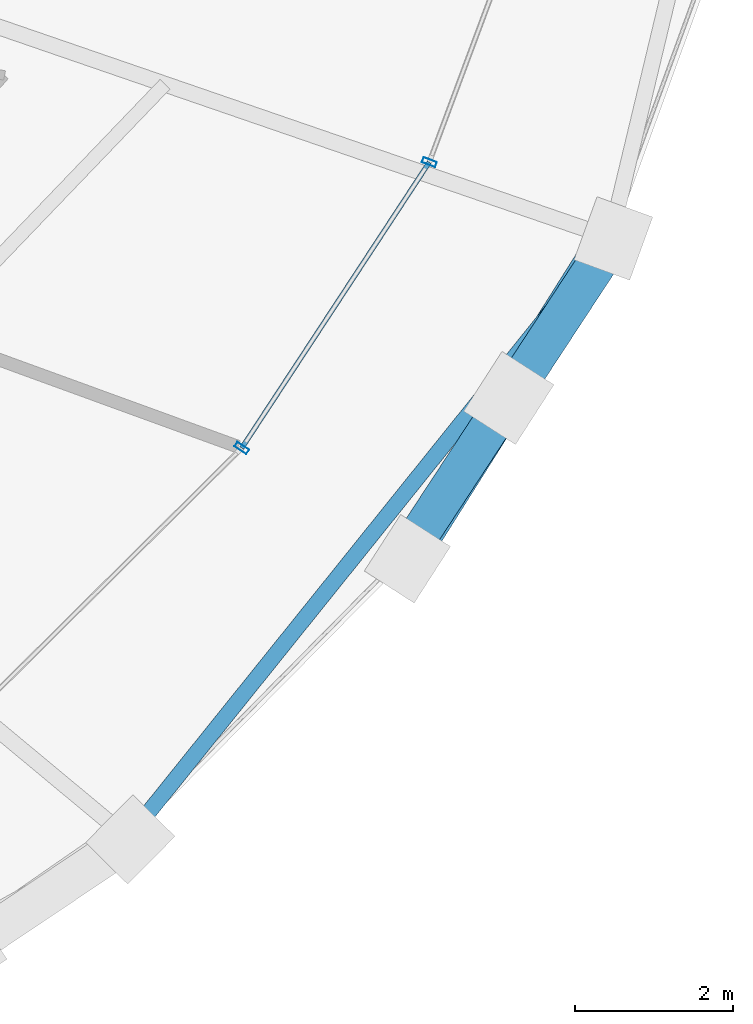
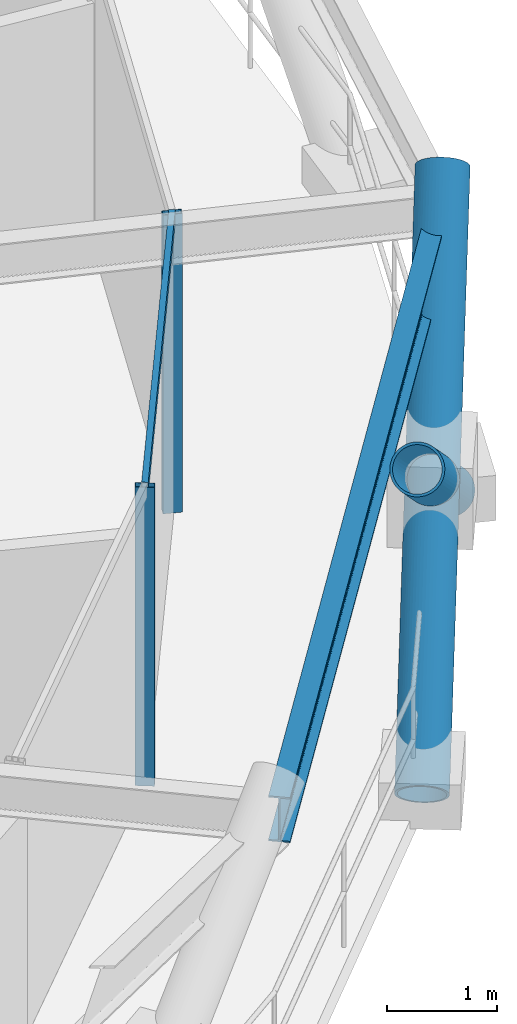
# One storey, part 9 of 19: 6 members, 1 beam, 1 element without a shape of its own.
"""IFC4 building model written with IfcOpenShell, lengths in metres."""

from ifc_helpers import new_model, si_unit, direction, frame, origin, origin_2d, place, context, subcontext, project, spatial, hollow_rectangle, hollow_circle, i_section, extrude, material, layer, layer_set, material_profile, profile_set, type_object, element, aggregate, save


model = new_model("IFC4")

# Units and contexts
model_context = context("Model", 3, precision=1e-05, world=origin(), true_north=direction((0.0, 1.0)))
body_context = subcontext(model_context, "Body", "Model", "MODEL_VIEW")
ifc_project = project(units=[si_unit("LENGTHUNIT", "METRE"), si_unit("AREAUNIT", "SQUARE_METRE"), si_unit("VOLUMEUNIT", "CUBIC_METRE"), si_unit("PLANEANGLEUNIT", "RADIAN"), si_unit("MASSUNIT", "GRAM", prefix="KILO")], contexts=[model_context])

# Site, building, storey
site_placement = place(None, origin())
site = spatial("IfcSite", under=ifc_project, at=site_placement, CompositionType="ELEMENT")
building_placement = place(site_placement, origin())
building = spatial("IfcBuilding", under=site, at=building_placement, Name="Veldorina Hangang Commons", CompositionType="ELEMENT")
storey_placement = place(building_placement, frame((0.0, 0.0, 160.39990234375)))
storey = spatial("IfcBuildingStorey", under=building, at=storey_placement, Name="L41", CompositionType="ELEMENT", Elevation=160.39990234375)

# Beam
ifc_material_1 = material(Name="Steel SM420-TMC", Category="steel")
ifc_material_profile_1 = material_profile(ifc_material_1, i_section(OverallWidth=0.199951171875, OverallDepth=0.5, WebThickness=0.010009765625, FlangeThickness=0.01611328125, FilletRadius=0.01611328125, at=origin_2d()), Name="H-500x200x10x16")
ifc_profile_set_1 = profile_set([ifc_material_profile_1], Name="Steel SM420-TMC")
beam_type = type_object("IfcBeamType", Name="BM-RB500", PredefinedType="BEAM", material=ifc_profile_set_1)
beam_placement = place(storey_placement, frame((51.904052734375, 7.450927734375, 3.10009765625), z_axis=(0.626435707691, 0.77947309391, 0.0), x_axis=(-0.77947309391, 0.626435707691, 0.0)))
element("IfcBeam", 1, at=beam_placement, inside=storey, type_object=beam_type, Name="L41 perimeter hoop ring beam 28", PredefinedType="BEAM", context=body_context, shape_type="SweptSolid", body=[
    extrude(i_section(OverallWidth=0.199951171875, OverallDepth=0.5, WebThickness=0.010009765625, FlangeThickness=0.01611328125, FilletRadius=0.01611328125, at=origin_2d()), origin(), (0.0, 0.0, 1.0), 9.740966796875),
])

# Curtain wall, members
ifc_material_2 = material(Name="Glass Low-E Triple IGU", Category="glass")
ifc_layer = layer(ifc_material_2, 0.179931640625)
ifc_layer_set = layer_set([ifc_layer], Name="Glass Low-E Triple IGU")
curtain_wall_type = type_object("IfcCurtainWallType", Name="CW-SYS-Z2", PredefinedType="NOTDEFINED", material=ifc_layer_set)
curtain_wall_placement = place(storey_placement, origin())
curtain_wall = element("IfcCurtainWall", 2, at=curtain_wall_placement, inside=storey, type_object=curtain_wall_type, Name="L41 unitised curtain wall CW-L41-R2", PredefinedType="NOTDEFINED")
ifc_material_3 = material(Name="Aluminium Anodized AA6063-T6", Category="aluminium")
ifc_material_profile_2 = material_profile(ifc_material_3, hollow_rectangle(XDim=0.070068359375, YDim=0.179931640625, WallThickness=0.00390625, at=origin_2d()), Name="ALU-RHS-180x70x4")
ifc_profile_set_2 = profile_set([ifc_material_profile_2], Name="Aluminium Anodized AA6063-T6")
member_type_1 = type_object("IfcMemberType", Name="CW-MUL-180", PredefinedType="MULLION", material=ifc_profile_set_2)
member_1_placement = place(storey_placement, frame((53.3427734375, 12.3818359375, 0.0), z_axis=(0.0, 0.0, 1.0), x_axis=(0.548570522359, 0.836104288949, 0.0)))
member_1 = element("IfcMember", 3, at=member_1_placement, type_object=member_type_1, Name="CW-L41-R2 vertical mullion 2", PredefinedType="MULLION", context=body_context, shape_type="SweptSolid", body=[
    extrude(hollow_rectangle(XDim=0.070068359375, YDim=0.179931640625, WallThickness=0.00390625, at=origin_2d()), origin(), (0.0, 0.0, 1.0), 3.31005859375),
])
member_2_placement = place(storey_placement, frame((55.71484375, 15.997314453125, 0.0), z_axis=(0.0, 0.0, 1.0), x_axis=(0.348931912065, 0.937148078343, 0.0)))
member_2 = element("IfcMember", 4, at=member_2_placement, type_object=member_type_1, Name="CW-L41-R2 vertical mullion 3", PredefinedType="MULLION", context=body_context, shape_type="SweptSolid", body=[
    extrude(hollow_rectangle(XDim=0.070068359375, YDim=0.179931640625, WallThickness=0.00390625, at=origin_2d()), origin(), (0.0, 0.0, 1.0), 3.31005859375),
])
ifc_material_profile_3 = material_profile(ifc_material_3, hollow_rectangle(XDim=0.06005859375, YDim=0.139892578125, WallThickness=0.00341796875, at=origin_2d()), Name="ALU-RHS-140x60x3.5")
ifc_profile_set_3 = profile_set([ifc_material_profile_3], Name="Aluminium Anodized AA6063-T6")
member_type_2 = type_object("IfcMemberType", Name="CW-TRN-140", PredefinedType="USERDEFINED", material=ifc_profile_set_3)
member_3_placement = place(storey_placement, frame((53.3427734375, 12.3818359375, 3.27001953125), z_axis=(0.54856147791, 0.836110222969, 0.0), x_axis=(-0.836110222969, 0.54856147791, 0.0)))
member_3 = element("IfcMember", 5, at=member_3_placement, type_object=member_type_2, Name="CW-L41-R2 facet 2 transom 1", ObjectType="TRANSOM", PredefinedType="USERDEFINED", context=body_context, shape_type="SweptSolid", body=[
    extrude(hollow_rectangle(XDim=0.06005859375, YDim=0.139892578125, WallThickness=0.00341796875, at=origin_2d()), origin(), (0.0, 0.0, 1.0), 4.32421875),
])
aggregate(curtain_wall, [member_1, member_2, member_3])

# Members
ifc_material_profile_4 = material_profile(ifc_material_1, hollow_circle(Radius=0.25, WallThickness=0.02490234375, at=origin_2d()), Name="CHS-500x25")
ifc_profile_set_4 = profile_set([ifc_material_profile_4], Name="Steel SM420-TMC")
member_type_3 = type_object("IfcMemberType", Name="DG-CHS500", PredefinedType="BRACE", material=ifc_profile_set_4)
member_4_placement = place(storey_placement, frame((55.43798828125, 10.981689453125, 0.0), z_axis=(0.426774204583, 0.676925541765, 0.599696247453), x_axis=(-0.845916132597, 0.533315944456, 0.0)))
element("IfcMember", 6, at=member_4_placement, inside=storey, type_object=member_type_3, Name="L41 continuous perimeter diagrid brace 29", PredefinedType="BRACE", context=body_context, shape_type="SweptSolid", body=[
    extrude(hollow_circle(Radius=0.25, WallThickness=0.02490234375, at=origin_2d()), origin(), (0.0, 0.0, 1.0), 6.003173828125),
])
member_5_placement = place(storey_placement, frame((58.043212890625, 15.032958984375, 0.0), z_axis=(-0.439423126864, -0.670079731279, 0.59824783268), x_axis=(0.836229155314, -0.548380159928, 0.0)))
element("IfcMember", 7, at=member_5_placement, inside=storey, type_object=member_type_3, Name="L41 split perimeter diagrid lower brace 30", PredefinedType="BRACE", context=body_context, shape_type="SweptSolid", body=[
    extrude(hollow_circle(Radius=0.25, WallThickness=0.02490234375, at=origin_2d()), origin(), (0.0, 0.0, 1.0), 3.01123046875),
])
member_6_placement = place(storey_placement, frame((56.719970703125, 13.01513671875, 1.801513671875), z_axis=(-0.439221532963, -0.670241178236, 0.598215018181), x_axis=(0.836405063102, -0.548111822913, 0.0)))
element("IfcMember", 8, at=member_6_placement, inside=storey, type_object=member_type_3, Name="L41 split perimeter diagrid upper brace 30", PredefinedType="BRACE", context=body_context, shape_type="SweptSolid", body=[
    extrude(hollow_circle(Radius=0.25, WallThickness=0.02490234375, at=origin_2d()), origin(), (0.0, 0.0, 1.0), 3.006591796875),
])

save(model, "model.ifc")
